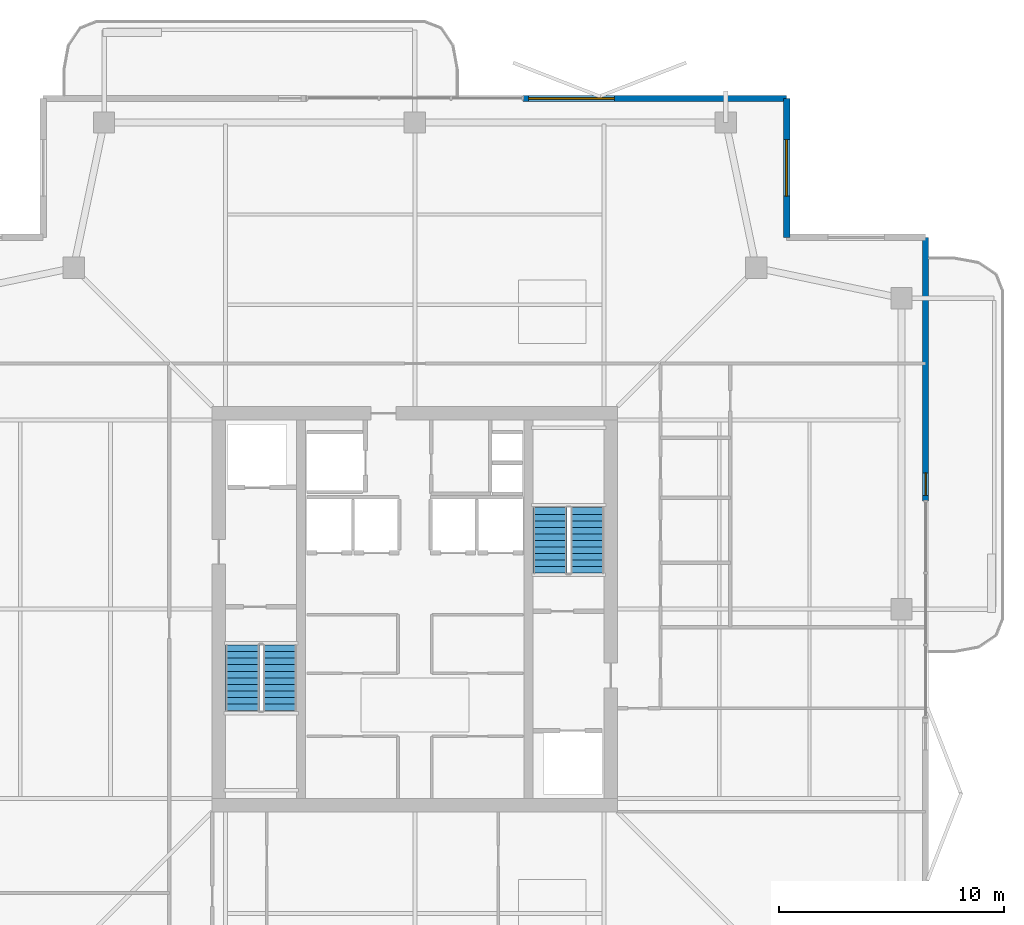
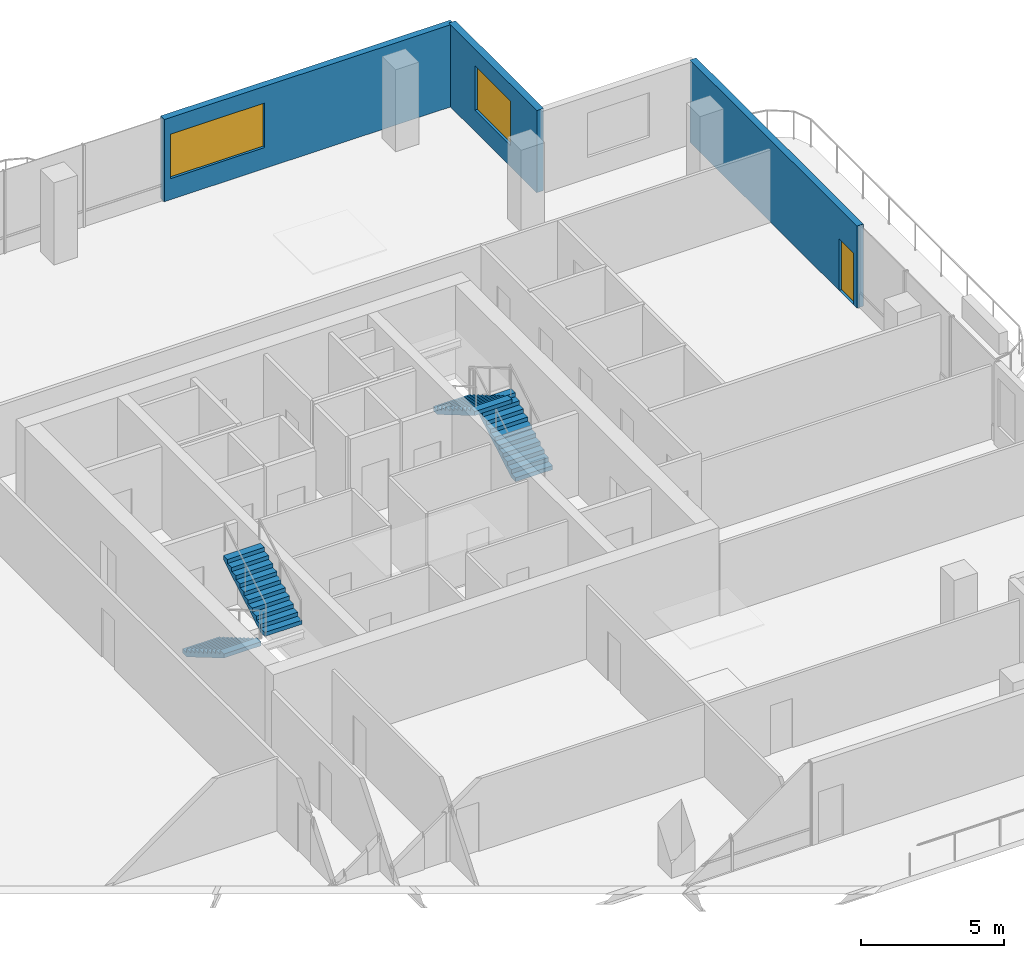
# One storey, part 15 of 18: 4 stair flights, 3 walls, 2 windows, 1 door, 3 openings, 2 elements without a shape of their own.
"""IFC4 building model written with IfcOpenShell, lengths in metres."""

from ifc_helpers import new_model, si_unit, direction, frame, frame_2d, origin, place, context, subcontext, project, spatial, polyline, rectangle, outline, extrude, material, layer, layer_set, type_object, element, fill, aggregate, save


model = new_model("IFC4")

# Units and contexts
model_context = context("Model", 3, precision=1e-05, world=origin(), true_north=direction((0.0, 1.0)))
body_context = subcontext(model_context, "Body", "Model", "MODEL_VIEW")
ifc_project = project(units=[si_unit("LENGTHUNIT", "METRE"), si_unit("AREAUNIT", "SQUARE_METRE"), si_unit("VOLUMEUNIT", "CUBIC_METRE"), si_unit("PLANEANGLEUNIT", "RADIAN"), si_unit("MASSUNIT", "GRAM", prefix="KILO")], contexts=[model_context])

# Site, building, storey
site_placement = place(None, origin())
site = spatial("IfcSite", under=ifc_project, at=site_placement, CompositionType="ELEMENT")
building_placement = place(site_placement, origin())
building = spatial("IfcBuilding", under=site, at=building_placement, Name="Belovzor Exchange Tower", CompositionType="ELEMENT")
storey_placement = place(building_placement, frame((0.0, 0.0, 310.5)))
storey = spatial("IfcBuildingStorey", under=building, at=storey_placement, Name="L77", CompositionType="ELEMENT", Elevation=310.5)

# Wall, opening, window
ifc_material_1 = material(Name="Precast concrete C40/50", Category="concrete")
ifc_layer_1 = layer(ifc_material_1, 0.280029296875)
ifc_layer_set_1 = layer_set([ifc_layer_1], Name="Precast concrete C40/50")
wall_type_1 = type_object("IfcWallType", Name="Precast Concrete Notched Corner Frame Wall 280", PredefinedType="SOLIDWALL", material=ifc_layer_set_1)
wall_1_placement = place(storey_placement, frame((45.300048828125, 51.469970703125, 0.0), z_axis=(0.0, 0.0, 1.0), x_axis=(0.0, -1.0, 0.0)))
wall_1 = element("IfcWall", 1, at=wall_1_placement, inside=storey, type_object=wall_type_1, Name="W-CRN280 Precast Concrete Notched Corner Frame Wall 280 L77", PredefinedType="SOLIDWALL", context=body_context, shape_type="SweptSolid", body=[
    extrude(rectangle(XDim=6.169921875, YDim=0.280029296875, at=frame_2d((3.0849609375, 0.0))), origin(), (0.0, 0.0, 1.0), 3.510009765625),
])
opening_1_placement = place(wall_1_placement, frame((1.8349609375, 0.0, 0.89990234375)))
opening_1 = element("IfcOpeningElement", 2, at=opening_1_placement, cuts=wall_1, Name="Opening WN-CRN250", PredefinedType="OPENING", context=body_context, shape_type="SweptSolid", body=[
    extrude(rectangle(XDim=2.5, YDim=1.89990234375, at=frame_2d((1.25, 0.949951171875))), frame((0.0, 0.14990234375, 0.0), z_axis=(0.0, -1.0, 0.0), x_axis=(1.0, 0.0, 0.0)), (0.0, 0.0, 1.0), 0.300048828125),
])
ifc_material_2 = material(Name="Thermally Broken Aluminium and Triple Glazing", Category="aluminium")
window_type_1 = type_object("IfcWindowType", Name="Streamline Moderne Corner Wrap Ribbon Window 2500x1900", PartitioningType="SINGLE_PANEL", PredefinedType="WINDOW", material=ifc_material_2)
window_1_placement = place(opening_1_placement, origin())
window_1 = element("IfcWindow", 3, at=window_1_placement, inside=storey, type_object=window_type_1, Name="WN-CRN250 Streamline Moderne Corner Wrap Ribbon Window 2500x1900", OverallHeight=1.89990234375, OverallWidth=2.5, PartitioningType="SINGLE_PANEL", PredefinedType="WINDOW", context=body_context, shape_type="SweptSolid", body=[
    extrude(rectangle(XDim=2.5, YDim=1.89990234375, at=frame_2d((1.25, 0.949951171875))), frame((0.0, 0.030029296875, 0.0), z_axis=(0.0, -1.0, 0.0), x_axis=(1.0, 0.0, 0.0)), (0.0, 0.0, 1.0), 0.06005859375),
])
fill(opening_1, window_1)

ifc_material_3 = material(Name="Precast concrete C40/50", Category="concrete")
ifc_layer_2 = layer(ifc_material_3, 0.260009765625)
ifc_layer_set_2 = layer_set([ifc_layer_2], Name="Precast concrete C40/50")
wall_type_2 = type_object("IfcWallType", Name="Precast Concrete Perimeter Loggia Frame Wall 260", PredefinedType="SOLIDWALL", material=ifc_layer_set_2)
wall_2_placement = place(storey_placement, frame((33.60009765625, 51.469970703125, 0.0), z_axis=(0.0, 0.0, 1.0), x_axis=(1.0, 0.0, 0.0)))
wall_2 = element("IfcWall", 4, at=wall_2_placement, inside=storey, type_object=wall_type_2, Name="W-EXT260 Precast Concrete Perimeter Loggia Frame Wall 260 L77", PredefinedType="SOLIDWALL", context=body_context, shape_type="SweptSolid", body=[
    extrude(rectangle(XDim=11.699951171875, YDim=0.260009765625, at=frame_2d((5.85009765625, 0.0))), origin(), (0.0, 0.0, 1.0), 3.510009765625),
])
opening_2_placement = place(wall_2_placement, frame((0.25, 0.0, 0.89990234375)))
opening_2 = element("IfcOpeningElement", 5, at=opening_2_placement, cuts=wall_2, Name="Opening WN-RIB380", PredefinedType="OPENING", context=body_context, shape_type="SweptSolid", body=[
    extrude(rectangle(XDim=3.800048828125, YDim=1.89990234375, at=frame_2d((1.89990234375, 0.949951171875))), frame((0.0, 0.139892578125, 0.0), z_axis=(0.0, -1.0, 0.0), x_axis=(1.0, 0.0, 0.0)), (0.0, 0.0, 1.0), 0.280029296875),
])
ifc_material_4 = material(Name="Thermally Broken Aluminium and Triple Glazing", Category="aluminium")
window_type_2 = type_object("IfcWindowType", Name="Streamline Moderne Horizontal Ribbon Window 3800x1900", PartitioningType="SINGLE_PANEL", PredefinedType="WINDOW", material=ifc_material_4)
window_2_placement = place(opening_2_placement, origin())
window_2 = element("IfcWindow", 6, at=window_2_placement, inside=storey, type_object=window_type_2, Name="WN-RIB380 Streamline Moderne Horizontal Ribbon Window 3800x1900", OverallHeight=1.89990234375, OverallWidth=3.800048828125, PartitioningType="SINGLE_PANEL", PredefinedType="WINDOW", context=body_context, shape_type="SweptSolid", body=[
    extrude(rectangle(XDim=3.800048828125, YDim=1.89990234375, at=frame_2d((1.89990234375, 0.949951171875))), frame((0.0, 0.030029296875, 0.0), z_axis=(0.0, -1.0, 0.0), x_axis=(1.0, 0.0, 0.0)), (0.0, 0.0, 1.0), 0.06005859375),
])
fill(opening_2, window_2)

# Wall, opening, door
wall_3_placement = place(storey_placement, frame((51.469970703125, 45.300048828125, 0.0), z_axis=(0.0, 0.0, 1.0), x_axis=(0.0, -1.0, 0.0)))
wall_3 = element("IfcWall", 7, at=wall_3_placement, inside=storey, type_object=wall_type_2, Name="W-EXT260 Precast Concrete Perimeter Loggia Frame Wall 260 L77", PredefinedType="SOLIDWALL", context=body_context, shape_type="SweptSolid", body=[
    extrude(rectangle(XDim=11.699951171875, YDim=0.260009765625, at=frame_2d((5.85009765625, 0.0))), origin(), (0.0, 0.0, 1.0), 3.510009765625),
])
opening_3_placement = place(wall_3_placement, frame((10.449951171875, 0.0, 0.0)))
opening_3 = element("IfcOpeningElement", 8, at=opening_3_placement, cuts=wall_3, Name="Opening D-BAL100", PredefinedType="OPENING", context=body_context, shape_type="SweptSolid", body=[
    extrude(rectangle(XDim=1.0, YDim=2.199951171875, at=frame_2d((0.5, 1.10009765625))), frame((0.0, 0.139892578125, 0.0), z_axis=(0.0, -1.0, 0.0), x_axis=(1.0, 0.0, 0.0)), (0.0, 0.0, 1.0), 0.280029296875),
])
ifc_material_5 = material(Name="Thermally Broken Anodised Aluminium and Laminated Glass", Category="aluminium")
door_type = type_object("IfcDoorType", Name="Planted Loggia Terrace Glazed Door 1000x2200", OperationType="SINGLE_SWING_LEFT", PredefinedType="DOOR", material=ifc_material_5)
door_placement = place(opening_3_placement, origin())
door = element("IfcDoor", 9, at=door_placement, inside=storey, type_object=door_type, Name="D-BAL100 Balcony Terrace Door L77 E", OperationType="SINGLE_SWING_LEFT", OverallHeight=2.199951171875, OverallWidth=1.0, PredefinedType="DOOR", context=body_context, shape_type="SweptSolid", body=[
    extrude(rectangle(XDim=1.0, YDim=2.199951171875, at=frame_2d((0.5, 1.10009765625))), frame((0.0, 0.02490234375, 0.0), z_axis=(0.0, -1.0, 0.0), x_axis=(1.0, 0.0, 0.0)), (0.0, 0.0, 1.0), 0.050048828125),
])
fill(opening_3, door)

# Stair, stair flights
ifc_material_6 = material(Name="Concrete C40/50", Category="concrete")
stair_type = type_object("IfcStairType", Name="Reinforced Concrete Dogleg Escape Stair 1350", PredefinedType="HALF_TURN_STAIR", material=ifc_material_6)
stair_1_placement = place(storey_placement, origin())
stair_1 = element("IfcStair", 10, at=stair_1_placement, inside=storey, type_object=stair_type, Name="L77 ST-1", PredefinedType="HALF_TURN_STAIR")
ifc_material_7 = material(Name="Concrete C40/50", Category="concrete")
stair_flight_type = type_object("IfcStairFlightType", Name="Reinforced Concrete Stair Flight 1350", PredefinedType="STRAIGHT", material=ifc_material_7)
stair_flight_1_placement = place(storey_placement, frame((21.14990234375, 27.199951171875, 0.0), z_axis=(0.0, 0.0, 1.0), x_axis=(0.0, -1.0, 0.0)))
stair_flight_1 = element("IfcStairFlight", 11, at=stair_flight_1_placement, type_object=stair_flight_type, Name="ST-1 flight 1", NumberOfRisers=11, NumberOfTreads=10, PredefinedType="STRAIGHT", RiserHeight=0.170454545, TreadLength=0.29, context=body_context, shape_type="SweptSolid", body=[
    extrude(outline(polyline([(0.0, 0.0), (0.0, 0.17041015625), (0.2900390625, 0.17041015625), (0.2900390625, 0.3408203125), (0.580078125, 0.3408203125), (0.580078125, 0.511474609375), (0.8701171875, 0.511474609375), (0.8701171875, 0.681884765625), (1.159912109375, 0.681884765625), (1.159912109375, 0.852294921875), (1.449951171875, 0.852294921875), (1.449951171875, 1.022705078125), (1.739990234375, 1.022705078125), (1.739990234375, 1.193115234375), (2.030029296875, 1.193115234375), (2.030029296875, 1.363525390625), (2.320068359375, 1.363525390625), (2.320068359375, 1.5341796875), (2.610107421875, 1.5341796875), (2.610107421875, 1.70458984375), (2.89990234375, 1.70458984375), (2.89990234375, 1.875), (2.89990234375, 1.53076171875), (0.2958984375, 0.0), (0.0, 0.0)])), frame((0.0, 0.75, 0.0), z_axis=(0.0, -1.0, 0.0), x_axis=(1.0, 0.0, 0.0)), (0.0, 0.0, 1.0), 1.5),
])
stair_flight_2_placement = place(storey_placement, frame((22.800048828125, 24.300048828125, 1.875), z_axis=(0.0, 0.0, 1.0), x_axis=(0.0, 1.0, 0.0)))
stair_flight_2 = element("IfcStairFlight", 12, at=stair_flight_2_placement, type_object=stair_flight_type, Name="ST-1 flight 2", NumberOfRisers=11, NumberOfTreads=10, PredefinedType="STRAIGHT", RiserHeight=0.170454545, TreadLength=0.29, context=body_context, shape_type="SweptSolid", body=[
    extrude(outline(polyline([(0.0, 0.0), (0.0, 0.17041015625), (0.2900390625, 0.17041015625), (0.2900390625, 0.3408203125), (0.580078125, 0.3408203125), (0.580078125, 0.511474609375), (0.8701171875, 0.511474609375), (0.8701171875, 0.681884765625), (1.159912109375, 0.681884765625), (1.159912109375, 0.852294921875), (1.449951171875, 0.852294921875), (1.449951171875, 1.022705078125), (1.739990234375, 1.022705078125), (1.739990234375, 1.193115234375), (2.030029296875, 1.193115234375), (2.030029296875, 1.363525390625), (2.320068359375, 1.363525390625), (2.320068359375, 1.5341796875), (2.610107421875, 1.5341796875), (2.610107421875, 1.70458984375), (2.89990234375, 1.70458984375), (2.89990234375, 1.875), (2.89990234375, 1.53076171875), (0.2958984375, 0.0), (0.0, 0.0)])), frame((0.0, 0.75, 0.0), z_axis=(0.0, -1.0, 0.0), x_axis=(1.0, 0.0, 0.0)), (0.0, 0.0, 1.0), 1.5),
])
aggregate(stair_1, [stair_flight_1, stair_flight_2])

stair_2_placement = place(storey_placement, origin())
stair_2 = element("IfcStair", 13, at=stair_2_placement, inside=storey, type_object=stair_type, Name="L77 ST-2", PredefinedType="HALF_TURN_STAIR")
stair_flight_3_placement = place(storey_placement, frame((36.449951171875, 30.39990234375, 0.0), z_axis=(0.0, 0.0, 1.0), x_axis=(0.0, 1.0, 0.0)))
stair_flight_3 = element("IfcStairFlight", 14, at=stair_flight_3_placement, type_object=stair_flight_type, Name="ST-2 flight 1", NumberOfRisers=11, NumberOfTreads=10, PredefinedType="STRAIGHT", RiserHeight=0.170454545, TreadLength=0.29, context=body_context, shape_type="SweptSolid", body=[
    extrude(outline(polyline([(0.0, 0.0), (0.0, 0.17041015625), (0.2900390625, 0.17041015625), (0.2900390625, 0.3408203125), (0.580078125, 0.3408203125), (0.580078125, 0.511474609375), (0.8701171875, 0.511474609375), (0.8701171875, 0.681884765625), (1.159912109375, 0.681884765625), (1.159912109375, 0.852294921875), (1.449951171875, 0.852294921875), (1.449951171875, 1.022705078125), (1.739990234375, 1.022705078125), (1.739990234375, 1.193115234375), (2.030029296875, 1.193115234375), (2.030029296875, 1.363525390625), (2.320068359375, 1.363525390625), (2.320068359375, 1.5341796875), (2.610107421875, 1.5341796875), (2.610107421875, 1.70458984375), (2.89990234375, 1.70458984375), (2.89990234375, 1.875), (2.89990234375, 1.53076171875), (0.2958984375, 0.0), (0.0, 0.0)])), frame((0.0, 0.75, 0.0), z_axis=(0.0, -1.0, 0.0), x_axis=(1.0, 0.0, 0.0)), (0.0, 0.0, 1.0), 1.5),
])
stair_flight_4_placement = place(storey_placement, frame((34.800048828125, 33.300048828125, 1.875), z_axis=(0.0, 0.0, 1.0), x_axis=(0.0, -1.0, 0.0)))
stair_flight_4 = element("IfcStairFlight", 15, at=stair_flight_4_placement, type_object=stair_flight_type, Name="ST-2 flight 2", NumberOfRisers=11, NumberOfTreads=10, PredefinedType="STRAIGHT", RiserHeight=0.170454545, TreadLength=0.29, context=body_context, shape_type="SweptSolid", body=[
    extrude(outline(polyline([(0.0, 0.0), (0.0, 0.17041015625), (0.2900390625, 0.17041015625), (0.2900390625, 0.3408203125), (0.580078125, 0.3408203125), (0.580078125, 0.511474609375), (0.8701171875, 0.511474609375), (0.8701171875, 0.681884765625), (1.159912109375, 0.681884765625), (1.159912109375, 0.852294921875), (1.449951171875, 0.852294921875), (1.449951171875, 1.022705078125), (1.739990234375, 1.022705078125), (1.739990234375, 1.193115234375), (2.030029296875, 1.193115234375), (2.030029296875, 1.363525390625), (2.320068359375, 1.363525390625), (2.320068359375, 1.5341796875), (2.610107421875, 1.5341796875), (2.610107421875, 1.70458984375), (2.89990234375, 1.70458984375), (2.89990234375, 1.875), (2.89990234375, 1.53076171875), (0.2958984375, 0.0), (0.0, 0.0)])), frame((0.0, 0.75, 0.0), z_axis=(0.0, -1.0, 0.0), x_axis=(1.0, 0.0, 0.0)), (0.0, 0.0, 1.0), 1.5),
])
aggregate(stair_2, [stair_flight_3, stair_flight_4])

save(model, "model.ifc")
